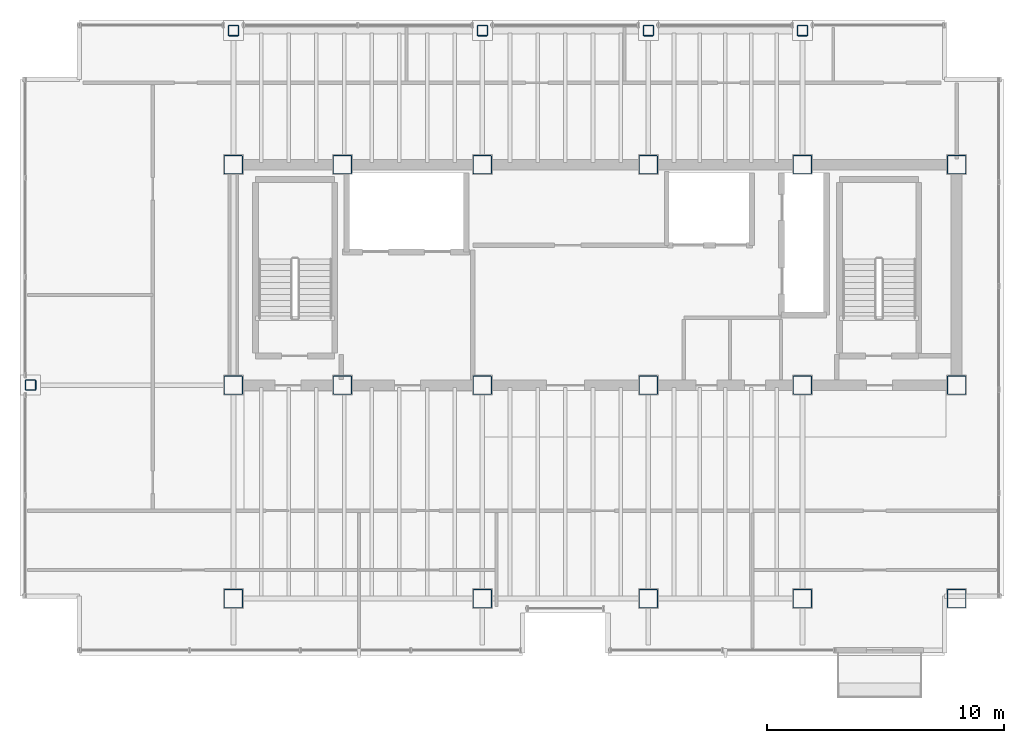
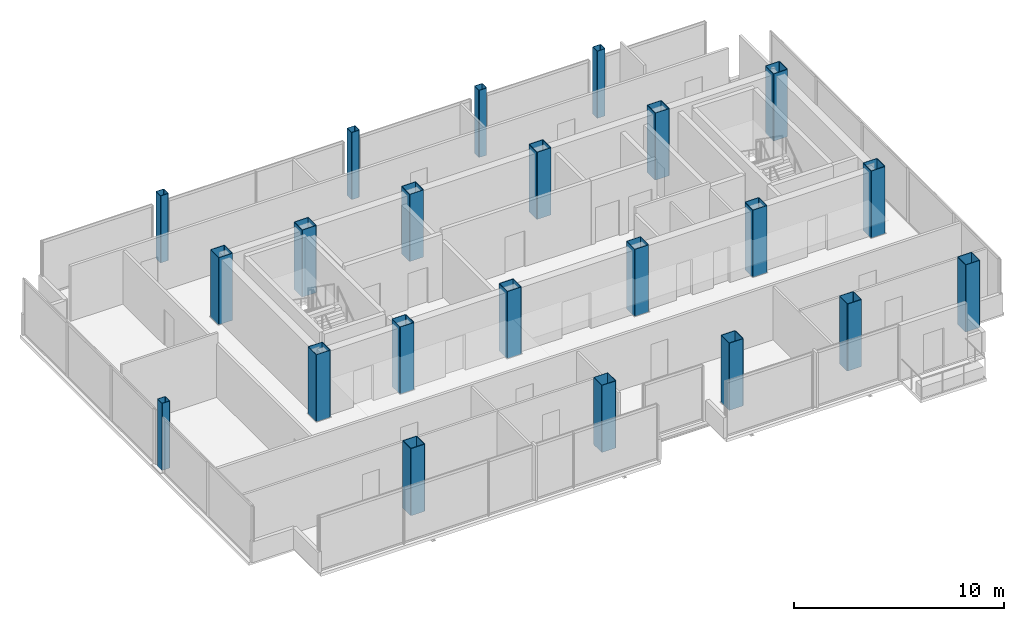
# One storey, part 1 of 17: 22 columns.
"""IFC4 building model written with IfcOpenShell, lengths in metres."""

from ifc_helpers import new_model, si_unit, direction, frame, origin, origin_2d, place, context, subcontext, project, spatial, hollow_rectangle, extrude, material, material_profile, profile_set, type_object, element, save


model = new_model("IFC4")

# Units and contexts
model_context = context("Model", 3, precision=1e-05, world=origin(), true_north=direction((0.0, 1.0)))
body_context = subcontext(model_context, "Body", "Model", "MODEL_VIEW")
ifc_project = project(units=[si_unit("LENGTHUNIT", "METRE"), si_unit("AREAUNIT", "SQUARE_METRE"), si_unit("VOLUMEUNIT", "CUBIC_METRE"), si_unit("PLANEANGLEUNIT", "RADIAN"), si_unit("MASSUNIT", "GRAM", prefix="KILO")], contexts=[model_context])

# Site, building, storey
site_placement = place(None, origin())
site = spatial("IfcSite", under=ifc_project, at=site_placement, CompositionType="ELEMENT")
building_placement = place(site_placement, origin())
building = spatial("IfcBuilding", under=site, at=building_placement, Name="Noeulbin Bourse Tower", CompositionType="ELEMENT")
storey_placement = place(building_placement, frame((0.0, 0.0, 261.800048828125)))
storey = spatial("IfcBuildingStorey", under=building, at=storey_placement, Name="L65", CompositionType="ELEMENT", Elevation=261.800048828125)

# Columns
ifc_material = material(Name="Steel S355", Category="steel")
ifc_material_profile_1 = material_profile(ifc_material, hollow_rectangle(XDim=0.449951171875, YDim=0.449951171875, WallThickness=0.02197265625, InnerFilletRadius=0.02197265625, OuterFilletRadius=0.0439453125, at=origin_2d()), Name="SHS-450x450x22", Category="LoadBearing")
ifc_profile_set_1 = profile_set([ifc_material_profile_1], Name="Steel S355")
column_type_1 = type_object("IfcColumnType", Name="COL-PER-Z3", PredefinedType="COLUMN", material=ifc_profile_set_1)
for number, where, z_axis, x_axis, name in (
    (1, (4.949951171875, 29.0, 0.0), (0.0, 0.0, 1.0), (1.0, 0.0, 0.0), "Tower Perimeter Column COL-PER-Z3 01"),
    (2, (13.5, 43.949951171875, 0.0), (0.0, 0.0, 1.0), (1.0, 0.0, 0.0), "Tower Perimeter Column COL-PER-Z3 02"),
    (3, (24.0, 43.949951171875, 0.0), (0.0, 0.0, 1.0), (1.0, 0.0, 0.0), "Tower Perimeter Column COL-PER-Z3 03"),
    (4, (31.0, 43.949951171875, 0.0), (0.0, 0.0, 1.0), (1.0, 0.0, 0.0), "Tower Perimeter Column COL-PER-Z3 04"),
    (5, (37.5, 43.949951171875, 0.0), (0.0, 0.0, 1.0), (1.0, 0.0, 0.0), "Tower Perimeter Column COL-PER-Z3 05"),
):
    element("IfcColumn", number, at=place(storey_placement, frame(where, z_axis=z_axis, x_axis=x_axis)), inside=storey, type_object=column_type_1, Name=name, PredefinedType="COLUMN", context=body_context, shape_type="SweptSolid", body=[
        extrude(hollow_rectangle(XDim=0.449951171875, YDim=0.449951171875, WallThickness=0.02197265625, InnerFilletRadius=0.02197265625, OuterFilletRadius=0.0439453125, at=origin_2d()), origin(), (0.0, 0.0, 1.0), 3.89990234375),
    ])
ifc_material_profile_2 = material_profile(ifc_material, hollow_rectangle(XDim=0.800048828125, YDim=0.800048828125, WallThickness=0.031982421875, InnerFilletRadius=0.01611328125, OuterFilletRadius=0.048095703125, at=origin_2d()), Name="BOX-800x800x32", Category="LoadBearing")
ifc_profile_set_2 = profile_set([ifc_material_profile_2], Name="Steel S355")
column_type_2 = type_object("IfcColumnType", Name="COL-TRK-Z3", PredefinedType="COLUMN", material=ifc_profile_set_2)
for number, where, z_axis, x_axis, name in (
    (6, (13.5, 29.0, 0.0), (0.0, 0.0, 1.0), (1.0, 0.0, 0.0), "Tower Trunk Mega-Column COL-TRK-Z3 01"),
    (7, (13.5, 38.300048828125, 0.0), (0.0, 0.0, 1.0), (1.0, 0.0, 0.0), "Tower Trunk Mega-Column COL-TRK-Z3 02"),
    (8, (18.10009765625, 29.0, 0.0), (0.0, 0.0, 1.0), (1.0, 0.0, 0.0), "Tower Trunk Mega-Column COL-TRK-Z3 03"),
    (9, (18.10009765625, 38.300048828125, 0.0), (0.0, 0.0, 1.0), (1.0, 0.0, 0.0), "Tower Trunk Mega-Column COL-TRK-Z3 04"),
    (10, (24.0, 29.0, 0.0), (0.0, 0.0, 1.0), (1.0, 0.0, 0.0), "Tower Trunk Mega-Column COL-TRK-Z3 05"),
    (11, (24.0, 38.300048828125, 0.0), (0.0, 0.0, 1.0), (1.0, 0.0, 0.0), "Tower Trunk Mega-Column COL-TRK-Z3 06"),
    (12, (31.0, 29.0, 0.0), (0.0, 0.0, 1.0), (1.0, 0.0, 0.0), "Tower Trunk Mega-Column COL-TRK-Z3 07"),
    (13, (31.0, 38.300048828125, 0.0), (0.0, 0.0, 1.0), (1.0, 0.0, 0.0), "Tower Trunk Mega-Column COL-TRK-Z3 08"),
    (14, (37.5, 29.0, 0.0), (0.0, 0.0, 1.0), (1.0, 0.0, 0.0), "Tower Trunk Mega-Column COL-TRK-Z3 09"),
    (15, (37.5, 38.300048828125, 0.0), (0.0, 0.0, 1.0), (1.0, 0.0, 0.0), "Tower Trunk Mega-Column COL-TRK-Z3 10"),
    (16, (44.0, 29.0, 0.0), (0.0, 0.0, 1.0), (1.0, 0.0, 0.0), "Tower Trunk Mega-Column COL-TRK-Z3 11"),
    (17, (44.0, 38.300048828125, 0.0), (0.0, 0.0, 1.0), (1.0, 0.0, 0.0), "Tower Trunk Mega-Column COL-TRK-Z3 12"),
    (18, (13.5, 20.0, 0.0), (0.0, 0.0, 1.0), (1.0, 0.0, 0.0), "Tower Trunk Mega-Column COL-TRK-Z3 13"),
    (19, (24.0, 20.0, 0.0), (0.0, 0.0, 1.0), (1.0, 0.0, 0.0), "Tower Trunk Mega-Column COL-TRK-Z3 14"),
    (20, (31.0, 20.0, 0.0), (0.0, 0.0, 1.0), (1.0, 0.0, 0.0), "Tower Trunk Mega-Column COL-TRK-Z3 15"),
    (21, (37.5, 20.0, 0.0), (0.0, 0.0, 1.0), (1.0, 0.0, 0.0), "Tower Trunk Mega-Column COL-TRK-Z3 16"),
    (22, (44.0, 20.0, 0.0), (0.0, 0.0, 1.0), (1.0, 0.0, 0.0), "Tower Trunk Mega-Column COL-TRK-Z3 17"),
):
    element("IfcColumn", number, at=place(storey_placement, frame(where, z_axis=z_axis, x_axis=x_axis)), inside=storey, type_object=column_type_2, Name=name, PredefinedType="COLUMN", context=body_context, shape_type="SweptSolid", body=[
        extrude(hollow_rectangle(XDim=0.800048828125, YDim=0.800048828125, WallThickness=0.031982421875, InnerFilletRadius=0.01611328125, OuterFilletRadius=0.048095703125, at=origin_2d()), origin(), (0.0, 0.0, 1.0), 3.89990234375),
    ])

save(model, "model.ifc")
